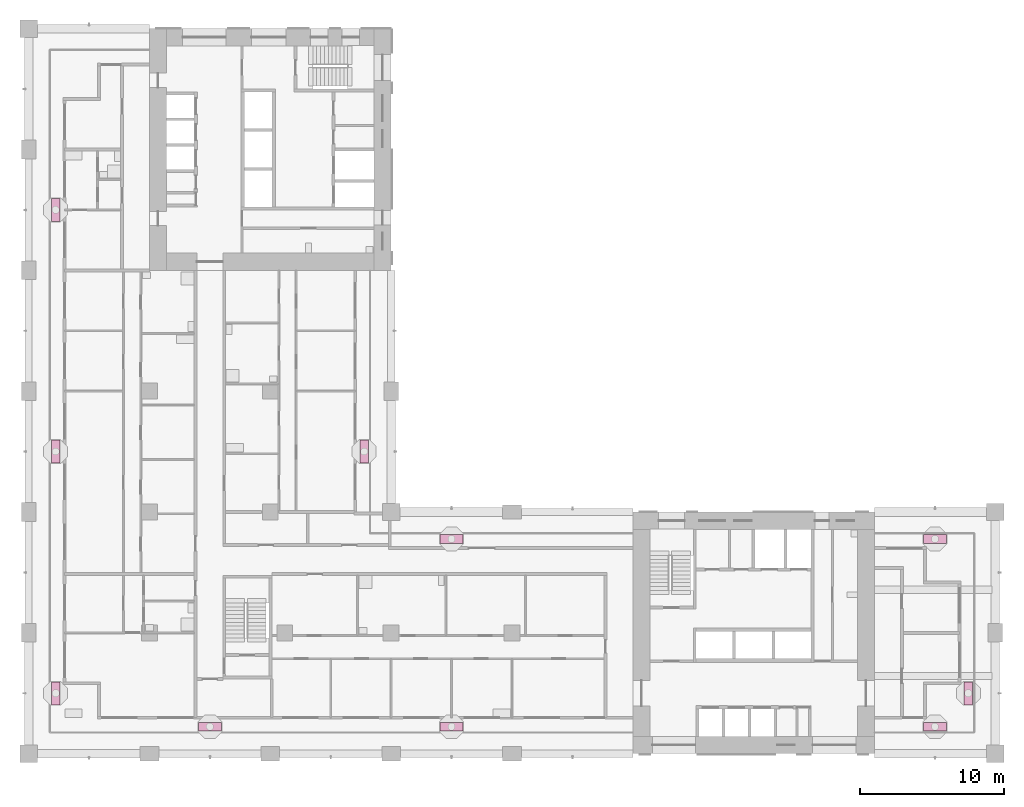
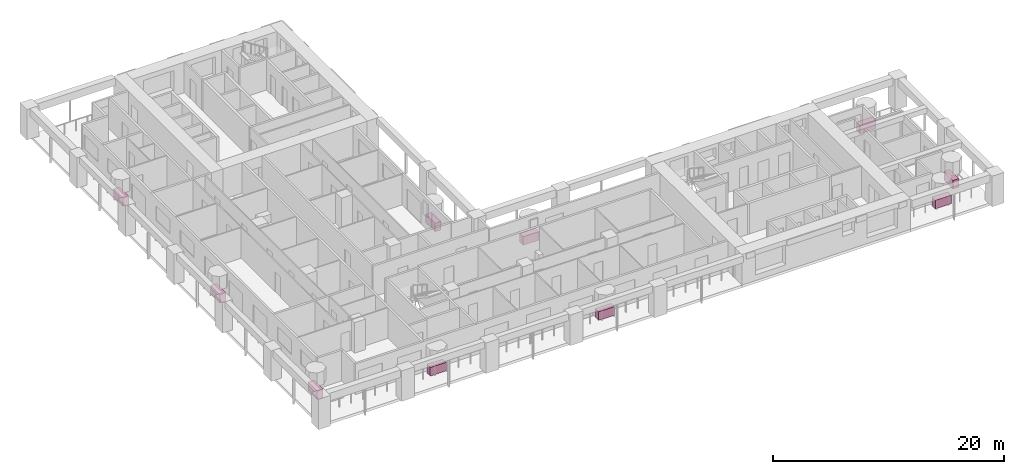
# One storey, part 17 of 18: 10 furniture elements.
"""IFC4 building model written with IfcOpenShell, lengths in metres."""

from ifc_helpers import new_model, si_unit, direction, frame, origin, origin_2d, place, context, subcontext, project, spatial, rectangle, extrude, material, element, save


model = new_model("IFC4")

# Units and contexts
model_context = context("Model", 3, precision=1e-05, world=origin(), true_north=direction((0.0, 1.0)))
body_context = subcontext(model_context, "Body", "Model", "MODEL_VIEW")
ifc_project = project(units=[si_unit("LENGTHUNIT", "METRE"), si_unit("AREAUNIT", "SQUARE_METRE"), si_unit("VOLUMEUNIT", "CUBIC_METRE"), si_unit("PLANEANGLEUNIT", "RADIAN"), si_unit("MASSUNIT", "GRAM", prefix="KILO")], contexts=[model_context])

# Site, building, storey
site_placement = place(None, origin())
site = spatial("IfcSite", under=ifc_project, at=site_placement, CompositionType="ELEMENT")
building_placement = place(site_placement, origin())
building = spatial("IfcBuilding", under=site, at=building_placement, Name="Vermilion Gate Residences", CompositionType="ELEMENT")
storey_placement = place(building_placement, frame((0.0, 0.0, 102.199951171875)))
storey = spatial("IfcBuildingStorey", under=building, at=storey_placement, Name="L25", CompositionType="ELEMENT", Elevation=102.199951171875)

# Furniture
ifc_material = material(Name="Terracotta planter", Category="masonry")
for number, where, z_axis, x_axis, name in (
    (1, (12.60009765625, 10.27490234375, 0.0), (0.0, 0.0, 1.0), (1.0, 0.0, 0.0), "PLANTER"),
    (2, (29.39990234375, 10.27490234375, 0.0), (0.0, 0.0, 1.0), (1.0, 0.0, 0.0), "PLANTER"),
    (3, (63.0, 10.27490234375, 0.0), (0.0, 0.0, 1.0), (1.0, 0.0, 0.0), "PLANTER"),
    (4, (65.324951171875, 12.60009765625, 0.0), (0.0, 0.0, 1.0), (0.0, 1.0, 0.0), "PLANTER"),
    (5, (29.39990234375, 23.324951171875, 0.0), (0.0, 0.0, 1.0), (-1.0, 0.0, 0.0), "PLANTER"),
    (6, (63.0, 23.324951171875, 0.0), (0.0, 0.0, 1.0), (-1.0, 0.0, 0.0), "PLANTER"),
    (7, (23.324951171875, 29.39990234375, 0.0), (0.0, 0.0, 1.0), (0.0, 1.0, 0.0), "PLANTER"),
    (8, (1.875, 12.60009765625, 0.0), (0.0, 0.0, 1.0), (0.0, -1.0, 0.0), "PLANTER"),
    (9, (1.875, 29.39990234375, 0.0), (0.0, 0.0, 1.0), (0.0, -1.0, 0.0), "PLANTER"),
    (10, (1.875, 46.199951171875, 0.0), (0.0, 0.0, 1.0), (0.0, -1.0, 0.0), "PLANTER"),
):
    element("IfcFurniture", number, at=place(storey_placement, frame(where, z_axis=z_axis, x_axis=x_axis)), inside=storey, material=ifc_material, Name=name, ObjectType="PLANTER", PredefinedType="USERDEFINED", context=body_context, shape_type="SweptSolid", body=[
        extrude(rectangle(XDim=1.60009765625, YDim=0.60009765625, at=origin_2d()), origin(), (0.0, 0.0, 1.0), 0.89990234375),
    ])

save(model, "model.ifc")
